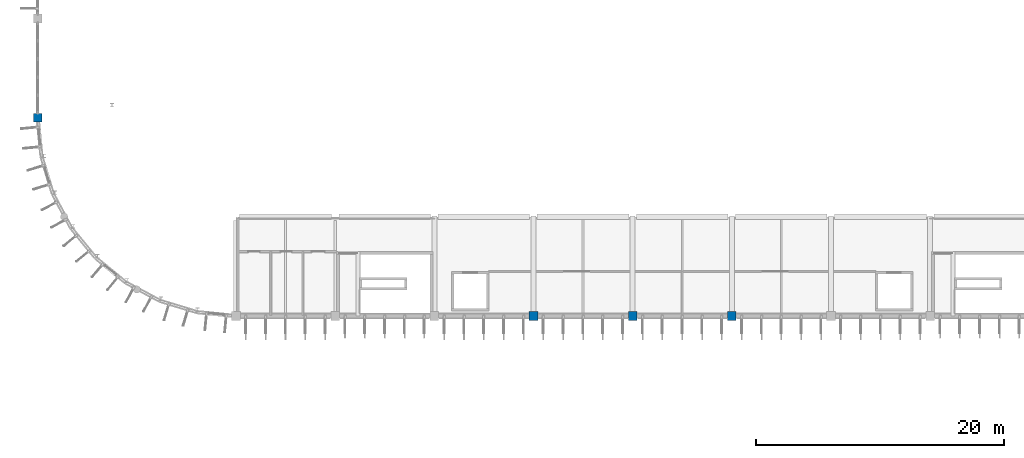
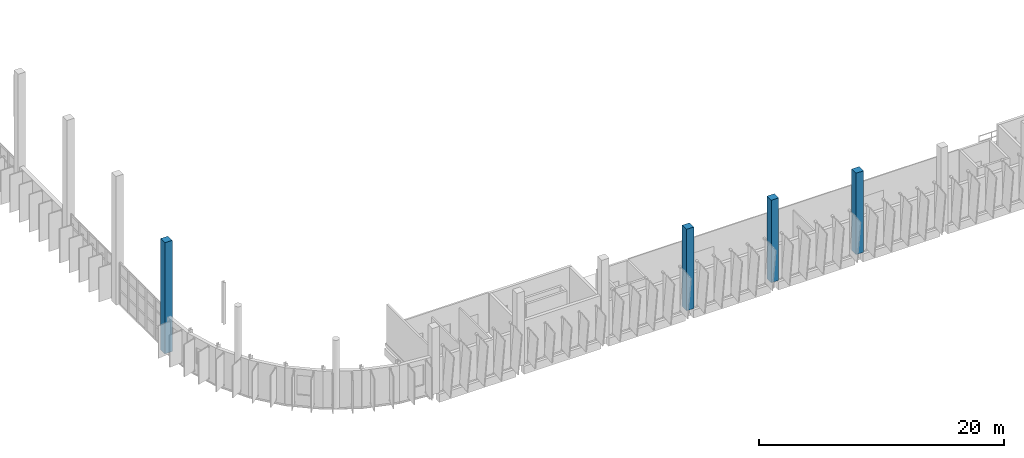
# One storey, part 2 of 66: 4 columns.
"""IFC4 building model written with IfcOpenShell, lengths in metres."""

from ifc_helpers import new_model, si_unit, direction, frame, origin, origin_2d, place, context, subcontext, project, spatial, rectangle, extrude, material, material_profile, profile_set, type_object, element, save


model = new_model("IFC4")

# Units and contexts
model_context = context("Model", 3, precision=1e-05, world=origin(), true_north=direction((0.0, 1.0)))
body_context = subcontext(model_context, "Body", "Model", "MODEL_VIEW")
ifc_project = project(units=[si_unit("LENGTHUNIT", "METRE"), si_unit("AREAUNIT", "SQUARE_METRE"), si_unit("VOLUMEUNIT", "CUBIC_METRE"), si_unit("PLANEANGLEUNIT", "RADIAN"), si_unit("MASSUNIT", "GRAM", prefix="KILO")], contexts=[model_context])

# Site, building, storey
site_placement = place(None, origin())
site = spatial("IfcSite", under=ifc_project, at=site_placement, CompositionType="ELEMENT")
building_placement = place(site_placement, origin())
building = spatial("IfcBuilding", under=site, at=building_placement, Name="Drelvana Railside Aquatics Centre", CompositionType="ELEMENT")
storey_placement = place(building_placement, frame((0.0, 0.0, 10.199951171875)))
storey = spatial("IfcBuildingStorey", under=building, at=storey_placement, Name="L02", CompositionType="ELEMENT", Elevation=10.199951171875)

# Columns
ifc_material = material(Name="Concrete C40/50", Category="concrete")
ifc_material_profile = material_profile(ifc_material, rectangle(XDim=0.699951171875, YDim=0.699951171875, at=origin_2d()), Name="RC 700x700")
ifc_profile_set = profile_set([ifc_material_profile], Name="Concrete C40/50")
column_type = type_object("IfcColumnType", Name="STR-COL-RC-700x700", PredefinedType="COLUMN", material=ifc_profile_set)
column_1_placement = place(storey_placement, frame((40.0, 16.0, 0.0), z_axis=(0.0, 0.0, 1.0), x_axis=(1.0, 0.0, 0.0)))
element("IfcColumn", 1, at=column_1_placement, inside=storey, type_object=column_type, Name="Column C-06 (L02)", PredefinedType="COLUMN", context=body_context, shape_type="SweptSolid", body=[
    extrude(rectangle(XDim=0.699951171875, YDim=0.699951171875, at=origin_2d()), origin(), (0.0, 0.0, 1.0), 8.125),
])
column_2_placement = place(storey_placement, frame((48.0, 16.0, 0.0), z_axis=(0.0, 0.0, 1.0), x_axis=(1.0, 0.0, 0.0)))
element("IfcColumn", 2, at=column_2_placement, inside=storey, type_object=column_type, Name="Column C-06 (L02)", PredefinedType="COLUMN", context=body_context, shape_type="SweptSolid", body=[
    extrude(rectangle(XDim=0.699951171875, YDim=0.699951171875, at=origin_2d()), origin(), (0.0, 0.0, 1.0), 8.22509765625),
])
column_3_placement = place(storey_placement, frame((56.0, 16.0, 0.0), z_axis=(0.0, 0.0, 1.0), x_axis=(1.0, 0.0, 0.0)))
element("IfcColumn", 3, at=column_3_placement, inside=storey, type_object=column_type, Name="Column C-06 (L02)", PredefinedType="COLUMN", context=body_context, shape_type="SweptSolid", body=[
    extrude(rectangle(XDim=0.699951171875, YDim=0.699951171875, at=origin_2d()), origin(), (0.0, 0.0, 1.0), 8.125),
])
column_4_placement = place(storey_placement, frame((0.0, 32.0, 0.0), z_axis=(0.0, 0.0, 1.0), x_axis=(1.0, 0.0, 0.0)))
element("IfcColumn", 4, at=column_4_placement, inside=storey, type_object=column_type, Name="Column C-06 (L02)", PredefinedType="COLUMN", context=body_context, shape_type="SweptSolid", body=[
    extrude(rectangle(XDim=0.699951171875, YDim=0.699951171875, at=origin_2d()), origin(), (0.0, 0.0, 1.0), 11.1025390625),
])

save(model, "model.ifc")
